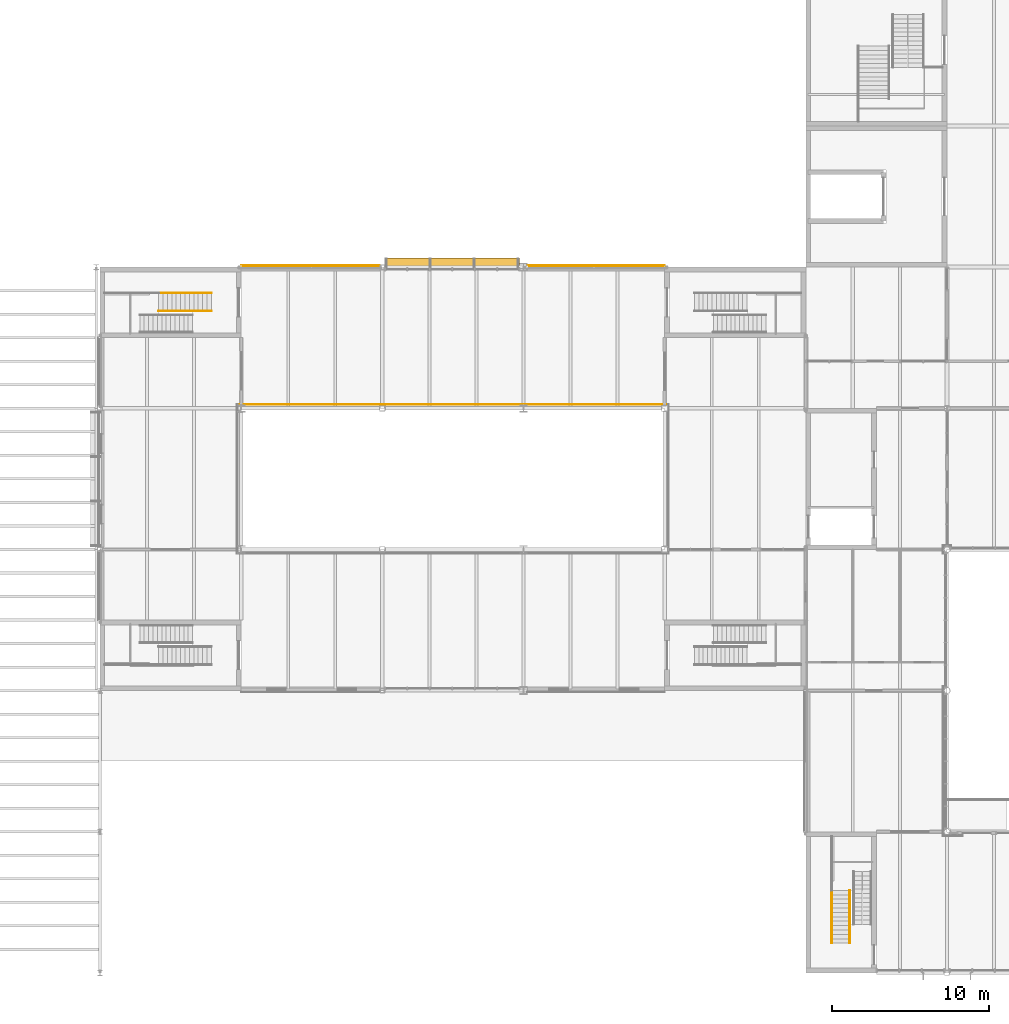
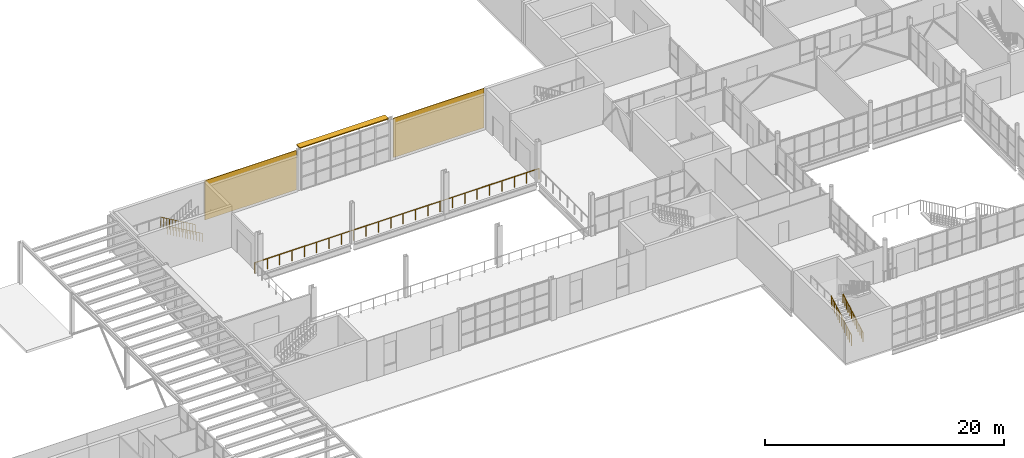
# One storey, part 51 of 57: 5 railings, 2 coverings, 1 shading device.
"""IFC4 building model written with IfcOpenShell, lengths in metres."""

from ifc_helpers import new_model, si_unit, direction, frame, frame_2d, origin, origin_2d, place, context, subcontext, project, spatial, rectangle, circle, extrude, material, layer, layer_set, type_object, element, save


model = new_model("IFC4")

# Units and contexts
model_context = context("Model", 3, precision=1e-05, world=origin(), true_north=direction((0.0, 1.0)))
body_context = subcontext(model_context, "Body", "Model", "MODEL_VIEW")
ifc_project = project(units=[si_unit("LENGTHUNIT", "METRE"), si_unit("AREAUNIT", "SQUARE_METRE"), si_unit("VOLUMEUNIT", "CUBIC_METRE"), si_unit("PLANEANGLEUNIT", "RADIAN"), si_unit("MASSUNIT", "GRAM", prefix="KILO")], contexts=[model_context])

# Site, building, storey
site_placement = place(None, origin())
site = spatial("IfcSite", under=ifc_project, at=site_placement, CompositionType="ELEMENT")
building_placement = place(site_placement, origin())
building = spatial("IfcBuilding", under=site, at=building_placement, Name="Halyard Row Museum", CompositionType="ELEMENT")
storey_placement = place(building_placement, frame((0.0, 0.0, 5.0)))
storey = spatial("IfcBuildingStorey", under=building, at=storey_placement, Name="L01", CompositionType="ELEMENT", Elevation=5.0)

# Railings
ifc_material_1 = material(Name="Steel Grade 300", Category="steel")
railing_type_1 = type_object("IfcRailingType", Name="Guard GR2 steel balustrade 1100", PredefinedType="GUARDRAIL", material=ifc_material_1)
railing_1_placement = place(storey_placement, frame((34.10009765625, 43.35009765625, 0.16162109375)))
element("IfcRailing", 1, at=railing_1_placement, inside=storey, type_object=railing_type_1, Name="Guard GR005", PredefinedType="GUARDRAIL", context=body_context, shape_type="SweptSolid", body=[
    extrude(circle(Radius=0.02392578125, at=origin_2d()), frame((0.0, 0.0, 1.076171875), z_axis=(-0.866424426198, 0.0, 0.49930823515), x_axis=(0.0, -1.0, 0.0)), (0.0, 0.0, 1.0), 0.3232421875),
    extrude(circle(Radius=0.02392578125, at=origin_2d()), frame((-0.280029296875, 0.0, 1.2373046875), z_axis=(-0.86609757561, 0.0, 0.499874973892), x_axis=(0.0, -1.0, 0.0)), (0.0, 0.0, 1.0), 0.3232421875),
    extrude(circle(Radius=0.02392578125, at=origin_2d()), frame((-0.56005859375, 0.0, 1.39892578125), z_axis=(-0.86609757561, 0.0, 0.499874973892), x_axis=(0.0, -1.0, 0.0)), (0.0, 0.0, 1.0), 0.3232421875),
    extrude(circle(Radius=0.02392578125, at=origin_2d()), frame((-0.840087890625, 0.0, 1.560546875), z_axis=(-0.866424426198, 0.0, 0.49930823515), x_axis=(0.0, -1.0, 0.0)), (0.0, 0.0, 1.0), 0.3232421875),
    extrude(circle(Radius=0.02392578125, at=origin_2d()), frame((-1.1201171875, 0.0, 1.72216796875), z_axis=(-0.86609757561, 0.0, 0.499874973892), x_axis=(0.0, -1.0, 0.0)), (0.0, 0.0, 1.0), 0.3232421875),
    extrude(circle(Radius=0.02392578125, at=origin_2d()), frame((-1.400146484375, 0.0, 1.8837890625), z_axis=(-0.86609757561, 0.0, 0.499874973892), x_axis=(0.0, -1.0, 0.0)), (0.0, 0.0, 1.0), 0.3232421875),
    extrude(circle(Radius=0.02392578125, at=origin_2d()), frame((-1.68017578125, 0.0, 2.04541015625), z_axis=(-0.866424426198, 0.0, 0.49930823515), x_axis=(0.0, -1.0, 0.0)), (0.0, 0.0, 1.0), 0.3232421875),
    extrude(circle(Radius=0.02392578125, at=origin_2d()), frame((-1.960205078125, 0.0, 2.20654296875), z_axis=(-0.865908710228, 0.0, 0.500202064721), x_axis=(0.0, -1.0, 0.0)), (0.0, 0.0, 1.0), 0.322998046875),
    extrude(circle(Radius=0.02392578125, at=origin_2d()), frame((-2.239990234375, 0.0, 2.3681640625), z_axis=(-0.86609757561, 0.0, 0.499874973892), x_axis=(0.0, -1.0, 0.0)), (0.0, 0.0, 1.0), 0.3232421875),
    extrude(circle(Radius=0.02392578125, at=origin_2d()), frame((-2.52001953125, 0.0, 2.52978515625), z_axis=(-0.866424426198, 0.0, 0.49930823515), x_axis=(0.0, -1.0, 0.0)), (0.0, 0.0, 1.0), 0.3232421875),
    extrude(circle(Radius=0.02392578125, at=origin_2d()), frame((-2.800048828125, 0.0, 2.69140625), z_axis=(-0.86609757561, 0.0, 0.499874973892), x_axis=(0.0, -1.0, 0.0)), (0.0, 0.0, 1.0), 0.3232421875),
    extrude(circle(Radius=0.02392578125, at=origin_2d()), frame((-3.080078125, 0.0, 2.85302734375), z_axis=(-0.86609757561, 0.0, 0.499874973892), x_axis=(0.0, -1.0, 0.0)), (0.0, 0.0, 1.0), 0.3232421875),
    extrude(circle(Radius=0.02099609375, at=origin_2d()), origin(), (0.0, 0.0, 1.0), 1.052001953125),
    extrude(circle(Radius=0.02099609375, at=origin_2d()), frame((-0.280029296875, 0.0, 0.161376953125)), (0.0, 0.0, 1.0), 1.052001953125),
    extrude(circle(Radius=0.02099609375, at=origin_2d()), frame((-0.56005859375, 0.0, 0.322998046875)), (0.0, 0.0, 1.0), 1.052001953125),
    extrude(circle(Radius=0.02099609375, at=origin_2d()), frame((-0.840087890625, 0.0, 0.484619140625)), (0.0, 0.0, 1.0), 1.052001953125),
    extrude(circle(Radius=0.02099609375, at=origin_2d()), frame((-1.1201171875, 0.0, 0.64599609375)), (0.0, 0.0, 1.0), 1.052001953125),
    extrude(circle(Radius=0.02099609375, at=origin_2d()), frame((-1.400146484375, 0.0, 0.8076171875)), (0.0, 0.0, 1.0), 1.052001953125),
    extrude(circle(Radius=0.02099609375, at=origin_2d()), frame((-1.68017578125, 0.0, 0.96923828125)), (0.0, 0.0, 1.0), 1.052001953125),
    extrude(circle(Radius=0.02099609375, at=origin_2d()), frame((-1.960205078125, 0.0, 1.130615234375)), (0.0, 0.0, 1.0), 1.052001953125),
    extrude(circle(Radius=0.02099609375, at=origin_2d()), frame((-2.239990234375, 0.0, 1.292236328125)), (0.0, 0.0, 1.0), 1.052001953125),
    extrude(circle(Radius=0.02099609375, at=origin_2d()), frame((-2.52001953125, 0.0, 1.453857421875)), (0.0, 0.0, 1.0), 1.052001953125),
    extrude(circle(Radius=0.02099609375, at=origin_2d()), frame((-2.800048828125, 0.0, 1.615234375)), (0.0, 0.0, 1.0), 1.052001953125),
    extrude(circle(Radius=0.02099609375, at=origin_2d()), frame((-3.080078125, 0.0, 1.77685546875)), (0.0, 0.0, 1.0), 1.052001953125),
    extrude(circle(Radius=0.02099609375, at=origin_2d()), frame((-3.360107421875, 0.0, 1.9384765625)), (0.0, 0.0, 1.0), 1.052001953125),
])
railing_2_placement = place(storey_placement, frame((73.64990234375, 1.89990234375, 0.16162109375)))
element("IfcRailing", 2, at=railing_2_placement, inside=storey, type_object=railing_type_1, Name="Guard GR041", PredefinedType="GUARDRAIL", context=body_context, shape_type="SweptSolid", body=[
    extrude(circle(Radius=0.02392578125, at=origin_2d()), frame((0.0, 0.0, 1.076171875), z_axis=(0.0, 0.866424426198, 0.49930823515), x_axis=(-1.0, 0.0, 0.0)), (0.0, 0.0, 1.0), 0.3232421875),
    extrude(circle(Radius=0.02392578125, at=origin_2d()), frame((0.0, 0.280029296875, 1.2373046875), z_axis=(0.0, 0.86609757561, 0.499874973892), x_axis=(-1.0, 0.0, 0.0)), (0.0, 0.0, 1.0), 0.3232421875),
    extrude(circle(Radius=0.02392578125, at=origin_2d()), frame((0.0, 0.56005859375, 1.39892578125), z_axis=(0.0, 0.86609757561, 0.499874973892), x_axis=(-1.0, 0.0, 0.0)), (0.0, 0.0, 1.0), 0.3232421875),
    extrude(circle(Radius=0.02392578125, at=origin_2d()), frame((0.0, 0.840087890625, 1.560546875), z_axis=(0.0, 0.866424426198, 0.49930823515), x_axis=(-1.0, 0.0, 0.0)), (0.0, 0.0, 1.0), 0.3232421875),
    extrude(circle(Radius=0.02392578125, at=origin_2d()), frame((0.0, 1.1201171875, 1.72216796875), z_axis=(0.0, 0.86609757561, 0.499874973892), x_axis=(-1.0, 0.0, 0.0)), (0.0, 0.0, 1.0), 0.3232421875),
    extrude(circle(Radius=0.02392578125, at=origin_2d()), frame((0.0, 1.400146484375, 1.8837890625), z_axis=(0.0, 0.86609757561, 0.499874973892), x_axis=(-1.0, 0.0, 0.0)), (0.0, 0.0, 1.0), 0.3232421875),
    extrude(circle(Radius=0.02392578125, at=origin_2d()), frame((0.0, 1.68017578125, 2.04541015625), z_axis=(0.0, 0.866424426198, 0.49930823515), x_axis=(-1.0, 0.0, 0.0)), (0.0, 0.0, 1.0), 0.3232421875),
    extrude(circle(Radius=0.02392578125, at=origin_2d()), frame((0.0, 1.960205078125, 2.20654296875), z_axis=(0.0, 0.865908710228, 0.500202064721), x_axis=(-1.0, 0.0, 0.0)), (0.0, 0.0, 1.0), 0.322998046875),
    extrude(circle(Radius=0.02392578125, at=origin_2d()), frame((0.0, 2.239990234375, 2.3681640625), z_axis=(0.0, 0.86609757561, 0.499874973892), x_axis=(-1.0, 0.0, 0.0)), (0.0, 0.0, 1.0), 0.3232421875),
    extrude(circle(Radius=0.02392578125, at=origin_2d()), frame((0.0, 2.52001953125, 2.52978515625), z_axis=(0.0, 0.866424426198, 0.49930823515), x_axis=(-1.0, 0.0, 0.0)), (0.0, 0.0, 1.0), 0.3232421875),
    extrude(circle(Radius=0.02392578125, at=origin_2d()), frame((0.0, 2.800048828125, 2.69140625), z_axis=(0.0, 0.86609757561, 0.499874973892), x_axis=(-1.0, 0.0, 0.0)), (0.0, 0.0, 1.0), 0.3232421875),
    extrude(circle(Radius=0.02392578125, at=origin_2d()), frame((0.0, 3.080078125, 2.85302734375), z_axis=(0.0, 0.86609757561, 0.499874973892), x_axis=(-1.0, 0.0, 0.0)), (0.0, 0.0, 1.0), 0.3232421875),
    extrude(circle(Radius=0.02099609375, at=origin_2d()), origin(), (0.0, 0.0, 1.0), 1.052001953125),
    extrude(circle(Radius=0.02099609375, at=origin_2d()), frame((0.0, 0.280029296875, 0.161376953125)), (0.0, 0.0, 1.0), 1.052001953125),
    extrude(circle(Radius=0.02099609375, at=origin_2d()), frame((0.0, 0.56005859375, 0.322998046875)), (0.0, 0.0, 1.0), 1.052001953125),
    extrude(circle(Radius=0.02099609375, at=origin_2d()), frame((0.0, 0.840087890625, 0.484619140625)), (0.0, 0.0, 1.0), 1.052001953125),
    extrude(circle(Radius=0.02099609375, at=origin_2d()), frame((0.0, 1.1201171875, 0.64599609375)), (0.0, 0.0, 1.0), 1.052001953125),
    extrude(circle(Radius=0.02099609375, at=origin_2d()), frame((0.0, 1.400146484375, 0.8076171875)), (0.0, 0.0, 1.0), 1.052001953125),
    extrude(circle(Radius=0.02099609375, at=origin_2d()), frame((0.0, 1.68017578125, 0.96923828125)), (0.0, 0.0, 1.0), 1.052001953125),
    extrude(circle(Radius=0.02099609375, at=origin_2d()), frame((0.0, 1.960205078125, 1.130615234375)), (0.0, 0.0, 1.0), 1.052001953125),
    extrude(circle(Radius=0.02099609375, at=origin_2d()), frame((0.0, 2.239990234375, 1.292236328125)), (0.0, 0.0, 1.0), 1.052001953125),
    extrude(circle(Radius=0.02099609375, at=origin_2d()), frame((0.0, 2.52001953125, 1.453857421875)), (0.0, 0.0, 1.0), 1.052001953125),
    extrude(circle(Radius=0.02099609375, at=origin_2d()), frame((0.0, 2.800048828125, 1.615234375)), (0.0, 0.0, 1.0), 1.052001953125),
    extrude(circle(Radius=0.02099609375, at=origin_2d()), frame((0.0, 3.080078125, 1.77685546875)), (0.0, 0.0, 1.0), 1.052001953125),
    extrude(circle(Radius=0.02099609375, at=origin_2d()), frame((0.0, 3.360107421875, 1.9384765625)), (0.0, 0.0, 1.0), 1.052001953125),
])
railing_3_placement = place(storey_placement, frame((35.75, 36.25, 0.0)))
element("IfcRailing", 3, at=railing_3_placement, inside=storey, type_object=railing_type_1, Name="Guard GR193", PredefinedType="GUARDRAIL", context=body_context, shape_type="SweptSolid", body=[
    extrude(circle(Radius=0.02392578125, at=origin_2d()), frame((0.0, 0.0, 1.076171875), z_axis=(1.0, 0.0, 0.0), x_axis=(0.0, 1.0, 0.0)), (0.0, 0.0, 1.0), 27.5),
    extrude(circle(Radius=0.02099609375, at=origin_2d()), origin(), (0.0, 0.0, 1.0), 1.052001953125),
    extrude(circle(Radius=0.02099609375, at=origin_2d()), frame((1.195556640625, 0.0, 0.0)), (0.0, 0.0, 1.0), 1.052001953125),
    extrude(circle(Radius=0.02099609375, at=origin_2d()), frame((2.391357421875, 0.0, 0.0)), (0.0, 0.0, 1.0), 1.052001953125),
    extrude(circle(Radius=0.02099609375, at=origin_2d()), frame((3.5869140625, 0.0, 0.0)), (0.0, 0.0, 1.0), 1.052001953125),
    extrude(circle(Radius=0.02099609375, at=origin_2d()), frame((4.78271484375, 0.0, 0.0)), (0.0, 0.0, 1.0), 1.052001953125),
    extrude(circle(Radius=0.02099609375, at=origin_2d()), frame((5.978271484375, 0.0, 0.0)), (0.0, 0.0, 1.0), 1.052001953125),
    extrude(circle(Radius=0.02099609375, at=origin_2d()), frame((7.173828125, 0.0, 0.0)), (0.0, 0.0, 1.0), 1.052001953125),
    extrude(circle(Radius=0.02099609375, at=origin_2d()), frame((8.36962890625, 0.0, 0.0)), (0.0, 0.0, 1.0), 1.052001953125),
    extrude(circle(Radius=0.02099609375, at=origin_2d()), frame((9.565185546875, 0.0, 0.0)), (0.0, 0.0, 1.0), 1.052001953125),
    extrude(circle(Radius=0.02099609375, at=origin_2d()), frame((10.760986328125, 0.0, 0.0)), (0.0, 0.0, 1.0), 1.052001953125),
    extrude(circle(Radius=0.02099609375, at=origin_2d()), frame((11.95654296875, 0.0, 0.0)), (0.0, 0.0, 1.0), 1.052001953125),
    extrude(circle(Radius=0.02099609375, at=origin_2d()), frame((13.152099609375, 0.0, 0.0)), (0.0, 0.0, 1.0), 1.052001953125),
    extrude(circle(Radius=0.02099609375, at=origin_2d()), frame((14.347900390625, 0.0, 0.0)), (0.0, 0.0, 1.0), 1.052001953125),
    extrude(circle(Radius=0.02099609375, at=origin_2d()), frame((15.54345703125, 0.0, 0.0)), (0.0, 0.0, 1.0), 1.052001953125),
    extrude(circle(Radius=0.02099609375, at=origin_2d()), frame((16.739013671875, 0.0, 0.0)), (0.0, 0.0, 1.0), 1.052001953125),
    extrude(circle(Radius=0.02099609375, at=origin_2d()), frame((17.934814453125, 0.0, 0.0)), (0.0, 0.0, 1.0), 1.052001953125),
    extrude(circle(Radius=0.02099609375, at=origin_2d()), frame((19.13037109375, 0.0, 0.0)), (0.0, 0.0, 1.0), 1.052001953125),
    extrude(circle(Radius=0.02099609375, at=origin_2d()), frame((20.326171875, 0.0, 0.0)), (0.0, 0.0, 1.0), 1.052001953125),
    extrude(circle(Radius=0.02099609375, at=origin_2d()), frame((21.521728515625, 0.0, 0.0)), (0.0, 0.0, 1.0), 1.052001953125),
    extrude(circle(Radius=0.02099609375, at=origin_2d()), frame((22.71728515625, 0.0, 0.0)), (0.0, 0.0, 1.0), 1.052001953125),
    extrude(circle(Radius=0.02099609375, at=origin_2d()), frame((23.9130859375, 0.0, 0.0)), (0.0, 0.0, 1.0), 1.052001953125),
    extrude(circle(Radius=0.02099609375, at=origin_2d()), frame((25.108642578125, 0.0, 0.0)), (0.0, 0.0, 1.0), 1.052001953125),
    extrude(circle(Radius=0.02099609375, at=origin_2d()), frame((26.304443359375, 0.0, 0.0)), (0.0, 0.0, 1.0), 1.052001953125),
    extrude(circle(Radius=0.02099609375, at=origin_2d()), frame((27.5, 0.0, 0.0)), (0.0, 0.0, 1.0), 1.052001953125),
])
ifc_material_2 = material(Name="Steel Grade 300", Category="steel")
railing_type_2 = type_object("IfcRailingType", Name="Handrail HR2 steel 900", PredefinedType="HANDRAIL", material=ifc_material_2)
railing_4_placement = place(storey_placement, frame((34.10009765625, 42.199951171875, 0.16162109375)))
element("IfcRailing", 4, at=railing_4_placement, inside=storey, type_object=railing_type_2, Name="Handrail HR007", PredefinedType="HANDRAIL", context=body_context, shape_type="SweptSolid", body=[
    extrude(circle(Radius=0.02392578125, at=origin_2d()), frame((0.0, 0.0, 0.8759765625), z_axis=(-0.866424426198, 0.0, 0.49930823515), x_axis=(0.0, -1.0, 0.0)), (0.0, 0.0, 1.0), 0.3232421875),
    extrude(circle(Radius=0.02392578125, at=origin_2d()), frame((-0.280029296875, 0.0, 1.037109375), z_axis=(-0.86609757561, 0.0, 0.499874973892), x_axis=(0.0, -1.0, 0.0)), (0.0, 0.0, 1.0), 0.3232421875),
    extrude(circle(Radius=0.02392578125, at=origin_2d()), frame((-0.56005859375, 0.0, 1.19873046875), z_axis=(-0.86609757561, 0.0, 0.499874973892), x_axis=(0.0, -1.0, 0.0)), (0.0, 0.0, 1.0), 0.3232421875),
    extrude(circle(Radius=0.02392578125, at=origin_2d()), frame((-0.840087890625, 0.0, 1.3603515625), z_axis=(-0.866424426198, 0.0, 0.49930823515), x_axis=(0.0, -1.0, 0.0)), (0.0, 0.0, 1.0), 0.3232421875),
    extrude(circle(Radius=0.02392578125, at=origin_2d()), frame((-1.1201171875, 0.0, 1.52197265625), z_axis=(-0.86609757561, 0.0, 0.499874973892), x_axis=(0.0, -1.0, 0.0)), (0.0, 0.0, 1.0), 0.3232421875),
    extrude(circle(Radius=0.02392578125, at=origin_2d()), frame((-1.400146484375, 0.0, 1.68359375), z_axis=(-0.86609757561, 0.0, 0.499874973892), x_axis=(0.0, -1.0, 0.0)), (0.0, 0.0, 1.0), 0.3232421875),
    extrude(circle(Radius=0.02392578125, at=origin_2d()), frame((-1.68017578125, 0.0, 1.84521484375), z_axis=(-0.866424426198, 0.0, 0.49930823515), x_axis=(0.0, -1.0, 0.0)), (0.0, 0.0, 1.0), 0.3232421875),
    extrude(circle(Radius=0.02392578125, at=origin_2d()), frame((-1.960205078125, 0.0, 2.00634765625), z_axis=(-0.865908710228, 0.0, 0.500202064721), x_axis=(0.0, -1.0, 0.0)), (0.0, 0.0, 1.0), 0.322998046875),
    extrude(circle(Radius=0.02392578125, at=origin_2d()), frame((-2.239990234375, 0.0, 2.16796875), z_axis=(-0.86609757561, 0.0, 0.499874973892), x_axis=(0.0, -1.0, 0.0)), (0.0, 0.0, 1.0), 0.3232421875),
    extrude(circle(Radius=0.02392578125, at=origin_2d()), frame((-2.52001953125, 0.0, 2.32958984375), z_axis=(-0.866424426198, 0.0, 0.49930823515), x_axis=(0.0, -1.0, 0.0)), (0.0, 0.0, 1.0), 0.3232421875),
    extrude(circle(Radius=0.02392578125, at=origin_2d()), frame((-2.800048828125, 0.0, 2.4912109375), z_axis=(-0.86609757561, 0.0, 0.499874973892), x_axis=(0.0, -1.0, 0.0)), (0.0, 0.0, 1.0), 0.3232421875),
    extrude(circle(Radius=0.02392578125, at=origin_2d()), frame((-3.080078125, 0.0, 2.65283203125), z_axis=(-0.86609757561, 0.0, 0.499874973892), x_axis=(0.0, -1.0, 0.0)), (0.0, 0.0, 1.0), 0.3232421875),
    extrude(circle(Radius=0.02099609375, at=origin_2d()), origin(), (0.0, 0.0, 1.0), 0.851806640625),
    extrude(circle(Radius=0.02099609375, at=origin_2d()), frame((-0.280029296875, 0.0, 0.161376953125)), (0.0, 0.0, 1.0), 0.851806640625),
    extrude(circle(Radius=0.02099609375, at=origin_2d()), frame((-0.56005859375, 0.0, 0.322998046875)), (0.0, 0.0, 1.0), 0.851806640625),
    extrude(circle(Radius=0.02099609375, at=origin_2d()), frame((-0.840087890625, 0.0, 0.484619140625)), (0.0, 0.0, 1.0), 0.851806640625),
    extrude(circle(Radius=0.02099609375, at=origin_2d()), frame((-1.1201171875, 0.0, 0.64599609375)), (0.0, 0.0, 1.0), 0.851806640625),
    extrude(circle(Radius=0.02099609375, at=origin_2d()), frame((-1.400146484375, 0.0, 0.8076171875)), (0.0, 0.0, 1.0), 0.851806640625),
    extrude(circle(Radius=0.02099609375, at=origin_2d()), frame((-1.68017578125, 0.0, 0.96923828125)), (0.0, 0.0, 1.0), 0.851806640625),
    extrude(circle(Radius=0.02099609375, at=origin_2d()), frame((-1.960205078125, 0.0, 1.130615234375)), (0.0, 0.0, 1.0), 0.851806640625),
    extrude(circle(Radius=0.02099609375, at=origin_2d()), frame((-2.239990234375, 0.0, 1.292236328125)), (0.0, 0.0, 1.0), 0.851806640625),
    extrude(circle(Radius=0.02099609375, at=origin_2d()), frame((-2.52001953125, 0.0, 1.453857421875)), (0.0, 0.0, 1.0), 0.851806640625),
    extrude(circle(Radius=0.02099609375, at=origin_2d()), frame((-2.800048828125, 0.0, 1.615234375)), (0.0, 0.0, 1.0), 0.851806640625),
    extrude(circle(Radius=0.02099609375, at=origin_2d()), frame((-3.080078125, 0.0, 1.77685546875)), (0.0, 0.0, 1.0), 0.851806640625),
    extrude(circle(Radius=0.02099609375, at=origin_2d()), frame((-3.360107421875, 0.0, 1.9384765625)), (0.0, 0.0, 1.0), 0.851806640625),
])
railing_5_placement = place(storey_placement, frame((74.800048828125, 1.89990234375, 0.16162109375)))
element("IfcRailing", 5, at=railing_5_placement, inside=storey, type_object=railing_type_2, Name="Handrail HR061", PredefinedType="HANDRAIL", context=body_context, shape_type="SweptSolid", body=[
    extrude(circle(Radius=0.02392578125, at=origin_2d()), frame((0.0, 0.0, 0.8759765625), z_axis=(0.0, 0.866424426198, 0.49930823515), x_axis=(-1.0, 0.0, 0.0)), (0.0, 0.0, 1.0), 0.3232421875),
    extrude(circle(Radius=0.02392578125, at=origin_2d()), frame((0.0, 0.280029296875, 1.037109375), z_axis=(0.0, 0.86609757561, 0.499874973892), x_axis=(-1.0, 0.0, 0.0)), (0.0, 0.0, 1.0), 0.3232421875),
    extrude(circle(Radius=0.02392578125, at=origin_2d()), frame((0.0, 0.56005859375, 1.19873046875), z_axis=(0.0, 0.86609757561, 0.499874973892), x_axis=(-1.0, 0.0, 0.0)), (0.0, 0.0, 1.0), 0.3232421875),
    extrude(circle(Radius=0.02392578125, at=origin_2d()), frame((0.0, 0.840087890625, 1.3603515625), z_axis=(0.0, 0.866424426198, 0.49930823515), x_axis=(-1.0, 0.0, 0.0)), (0.0, 0.0, 1.0), 0.3232421875),
    extrude(circle(Radius=0.02392578125, at=origin_2d()), frame((0.0, 1.1201171875, 1.52197265625), z_axis=(0.0, 0.86609757561, 0.499874973892), x_axis=(-1.0, 0.0, 0.0)), (0.0, 0.0, 1.0), 0.3232421875),
    extrude(circle(Radius=0.02392578125, at=origin_2d()), frame((0.0, 1.400146484375, 1.68359375), z_axis=(0.0, 0.86609757561, 0.499874973892), x_axis=(-1.0, 0.0, 0.0)), (0.0, 0.0, 1.0), 0.3232421875),
    extrude(circle(Radius=0.02392578125, at=origin_2d()), frame((0.0, 1.68017578125, 1.84521484375), z_axis=(0.0, 0.866424426198, 0.49930823515), x_axis=(-1.0, 0.0, 0.0)), (0.0, 0.0, 1.0), 0.3232421875),
    extrude(circle(Radius=0.02392578125, at=origin_2d()), frame((0.0, 1.960205078125, 2.00634765625), z_axis=(0.0, 0.865908710228, 0.500202064721), x_axis=(-1.0, 0.0, 0.0)), (0.0, 0.0, 1.0), 0.322998046875),
    extrude(circle(Radius=0.02392578125, at=origin_2d()), frame((0.0, 2.239990234375, 2.16796875), z_axis=(0.0, 0.86609757561, 0.499874973892), x_axis=(-1.0, 0.0, 0.0)), (0.0, 0.0, 1.0), 0.3232421875),
    extrude(circle(Radius=0.02392578125, at=origin_2d()), frame((0.0, 2.52001953125, 2.32958984375), z_axis=(0.0, 0.866424426198, 0.49930823515), x_axis=(-1.0, 0.0, 0.0)), (0.0, 0.0, 1.0), 0.3232421875),
    extrude(circle(Radius=0.02392578125, at=origin_2d()), frame((0.0, 2.800048828125, 2.4912109375), z_axis=(0.0, 0.86609757561, 0.499874973892), x_axis=(-1.0, 0.0, 0.0)), (0.0, 0.0, 1.0), 0.3232421875),
    extrude(circle(Radius=0.02392578125, at=origin_2d()), frame((0.0, 3.080078125, 2.65283203125), z_axis=(0.0, 0.86609757561, 0.499874973892), x_axis=(-1.0, 0.0, 0.0)), (0.0, 0.0, 1.0), 0.3232421875),
    extrude(circle(Radius=0.02099609375, at=origin_2d()), origin(), (0.0, 0.0, 1.0), 0.851806640625),
    extrude(circle(Radius=0.02099609375, at=origin_2d()), frame((0.0, 0.280029296875, 0.161376953125)), (0.0, 0.0, 1.0), 0.851806640625),
    extrude(circle(Radius=0.02099609375, at=origin_2d()), frame((0.0, 0.56005859375, 0.322998046875)), (0.0, 0.0, 1.0), 0.851806640625),
    extrude(circle(Radius=0.02099609375, at=origin_2d()), frame((0.0, 0.840087890625, 0.484619140625)), (0.0, 0.0, 1.0), 0.851806640625),
    extrude(circle(Radius=0.02099609375, at=origin_2d()), frame((0.0, 1.1201171875, 0.64599609375)), (0.0, 0.0, 1.0), 0.851806640625),
    extrude(circle(Radius=0.02099609375, at=origin_2d()), frame((0.0, 1.400146484375, 0.8076171875)), (0.0, 0.0, 1.0), 0.851806640625),
    extrude(circle(Radius=0.02099609375, at=origin_2d()), frame((0.0, 1.68017578125, 0.96923828125)), (0.0, 0.0, 1.0), 0.851806640625),
    extrude(circle(Radius=0.02099609375, at=origin_2d()), frame((0.0, 1.960205078125, 1.130615234375)), (0.0, 0.0, 1.0), 0.851806640625),
    extrude(circle(Radius=0.02099609375, at=origin_2d()), frame((0.0, 2.239990234375, 1.292236328125)), (0.0, 0.0, 1.0), 0.851806640625),
    extrude(circle(Radius=0.02099609375, at=origin_2d()), frame((0.0, 2.52001953125, 1.453857421875)), (0.0, 0.0, 1.0), 0.851806640625),
    extrude(circle(Radius=0.02099609375, at=origin_2d()), frame((0.0, 2.800048828125, 1.615234375)), (0.0, 0.0, 1.0), 0.851806640625),
    extrude(circle(Radius=0.02099609375, at=origin_2d()), frame((0.0, 3.080078125, 1.77685546875)), (0.0, 0.0, 1.0), 0.851806640625),
    extrude(circle(Radius=0.02099609375, at=origin_2d()), frame((0.0, 3.360107421875, 1.9384765625)), (0.0, 0.0, 1.0), 0.851806640625),
])

# Coverings
ifc_material_3 = material(Name="Fire-retardant Type A timber battens", Category="wood")
ifc_layer_1 = layer(ifc_material_3, 0.050048828125)
ifc_layer_set_1 = layer_set([ifc_layer_1], Name="Fire-retardant Type A timber battens")
covering_type = type_object("IfcCoveringType", Name="Timber batten cladding 50", PredefinedType="CLADDING", material=ifc_layer_set_1)
covering_1_placement = place(storey_placement, frame((63.0, 45.0849609375, 0.0), z_axis=(0.0, 0.0, 1.0), x_axis=(-1.0, 0.0, 0.0)))
element("IfcCovering", 6, at=covering_1_placement, inside=storey, type_object=covering_type, Name="Cladding CLL01-001", PredefinedType="CLADDING", context=body_context, shape_type="SweptSolid", body=[
    extrude(rectangle(XDim=8.75, YDim=0.050048828125, at=frame_2d((4.375, 0.0))), origin(), (0.0, 0.0, 1.0), 4.034912109375),
])
covering_2_placement = place(storey_placement, frame((44.85009765625, 45.0849609375, 0.0), z_axis=(0.0, 0.0, 1.0), x_axis=(-1.0, 0.0, 0.0)))
element("IfcCovering", 7, at=covering_2_placement, inside=storey, type_object=covering_type, Name="Cladding CLL01-002", PredefinedType="CLADDING", context=body_context, shape_type="SweptSolid", body=[
    extrude(rectangle(XDim=8.85009765625, YDim=0.050048828125, at=frame_2d((4.425048828125, 0.0))), origin(), (0.0, 0.0, 1.0), 4.034912109375),
])

# Shading device
ifc_material_4 = material(Name="Glue-laminated timber GL12, oiled", Category="wood")
ifc_layer_2 = layer(ifc_material_4, 0.10009765625)
ifc_layer_set_2 = layer_set([ifc_layer_2], Name="Glue-laminated timber GL12, oiled")
shading_device_type = type_object("IfcShadingDeviceType", Name="Timber louvre blade 100 x 600", PredefinedType="USERDEFINED", material=ifc_layer_set_2)
shading_device_placement = place(storey_placement, frame((49.449951171875, 45.300048828125, 4.135009765625), z_axis=(0.0, 0.0, 1.0), x_axis=(1.0, 0.0, 0.0)))
element("IfcShadingDevice", 8, at=shading_device_placement, inside=storey, type_object=shading_device_type, Name="Timber louvre", ObjectType="LOUVRE", PredefinedType="USERDEFINED", context=body_context, shape_type="SweptSolid", body=[
    extrude(rectangle(XDim=8.60009765625, YDim=0.60009765625, at=origin_2d()), origin(), (0.0, 0.0, 1.0), 0.10009765625),
])

save(model, "model.ifc")
